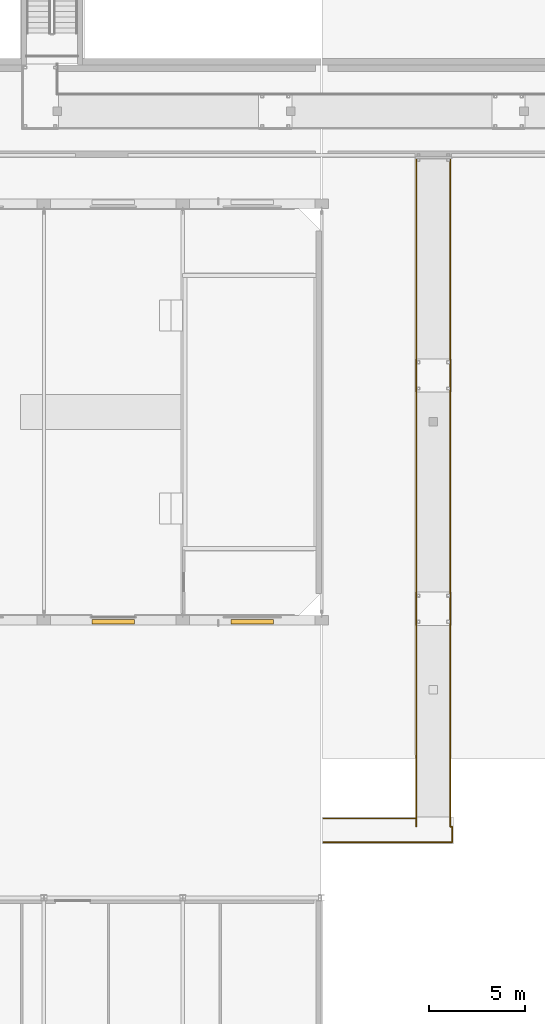
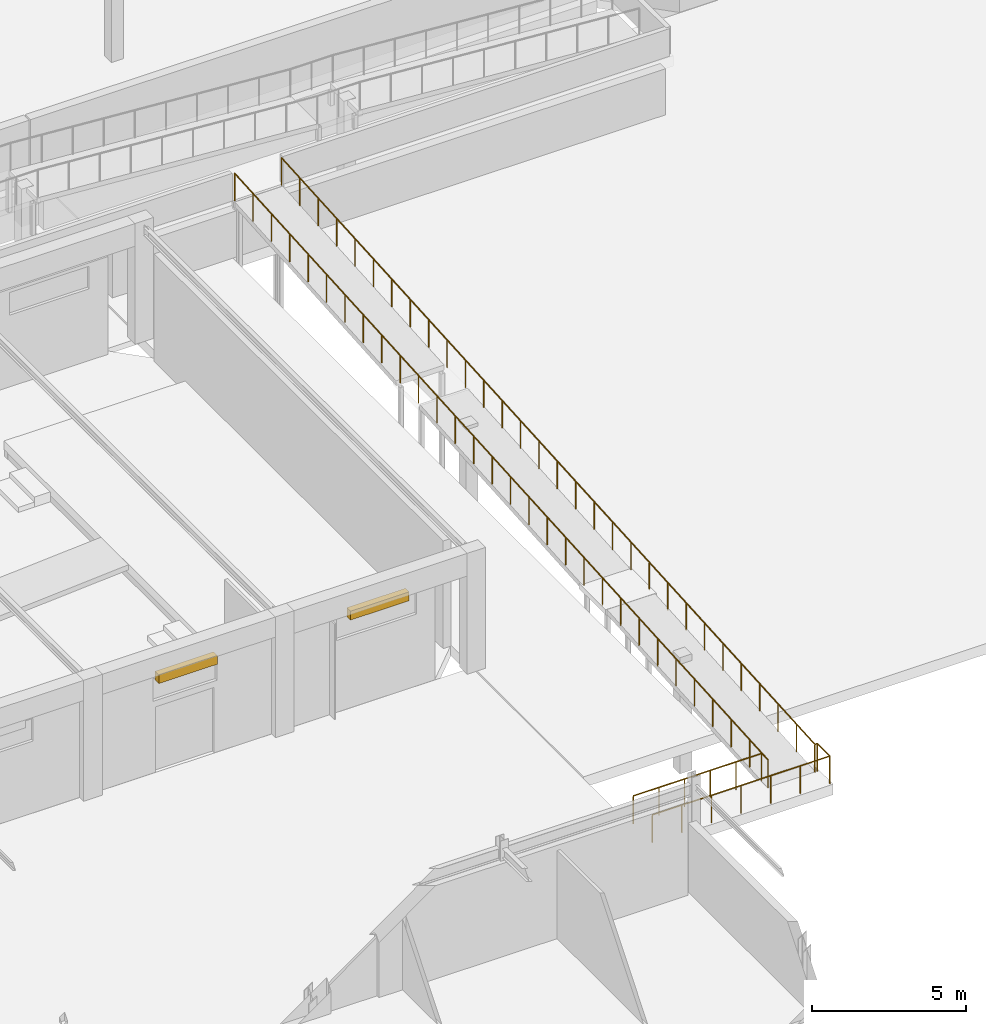
# One storey, part 76 of 85: 2 railings, 2 shading devices.
"""IFC4 building model written with IfcOpenShell, lengths in metres."""

from ifc_helpers import new_model, si_unit, direction, frame, origin, origin_2d, place, context, subcontext, project, spatial, rectangle, circle, extrude, material, type_object, element, save


model = new_model("IFC4")

# Units and contexts
model_context = context("Model", 3, precision=1e-05, world=origin(), true_north=direction((0.0, 1.0)))
body_context = subcontext(model_context, "Body", "Model", "MODEL_VIEW")
ifc_project = project(units=[si_unit("LENGTHUNIT", "METRE"), si_unit("AREAUNIT", "SQUARE_METRE"), si_unit("VOLUMEUNIT", "CUBIC_METRE"), si_unit("PLANEANGLEUNIT", "RADIAN"), si_unit("MASSUNIT", "GRAM", prefix="KILO")], contexts=[model_context])

# Site, building, storey
site_placement = place(None, origin())
site = spatial("IfcSite", under=ifc_project, at=site_placement, CompositionType="ELEMENT")
building_placement = place(site_placement, origin())
building = spatial("IfcBuilding", under=site, at=building_placement, Name="Ochrevale Crest", CompositionType="ELEMENT")
storey_placement = place(building_placement, origin())
storey = spatial("IfcBuildingStorey", under=building, at=storey_placement, Name="L00", CompositionType="ELEMENT", Elevation=0.0)

# Railings
ifc_material_1 = material(Name="Galvanised steel", Category="steel")
railing_type = type_object("IfcRailingType", Name="RL-TER-1120", PredefinedType="BALUSTRADE", material=ifc_material_1)
railing_1_placement = place(storey_placement, frame((108.10009765625, 32.919921875, 0.0)))
element("IfcRailing", 1, at=railing_1_placement, inside=storey, type_object=railing_type, Name="Accessible ramp E1 inner threshold and west guard", PredefinedType="BALUSTRADE", context=body_context, shape_type="SweptSolid", body=[
    extrude(circle(Radius=0.02392578125, at=origin_2d()), frame((0.0, 0.0, 1.09619140625), z_axis=(1.0, 0.0, 0.0), x_axis=(0.0, 1.0, 0.0)), (0.0, 0.0, 1.0), 4.81982421875),
    extrude(circle(Radius=0.02392578125, at=origin_2d()), frame((4.81982421875, 0.0, 1.09619140625), z_axis=(0.0, -1.0, 0.0), x_axis=(1.0, 0.0, 0.0)), (0.0, 0.0, 1.0), 0.419921875),
    extrude(circle(Radius=0.02392578125, at=origin_2d()), frame((4.81982421875, -0.419921875, 1.09619140625), z_axis=(0.0, 0.997904389943, 0.064705707113), x_axis=(-1.0, 0.0, 0.0)), (0.0, 0.0, 1.0), 34.772705078125),
    extrude(circle(Radius=0.02099609375, at=origin_2d()), origin(), (0.0, 0.0, 1.0), 1.072021484375),
    extrude(circle(Radius=0.02099609375, at=origin_2d()), frame((0.9638671875, 0.0, 0.0)), (0.0, 0.0, 1.0), 1.072021484375),
    extrude(circle(Radius=0.02099609375, at=origin_2d()), frame((1.927978515625, 0.0, 0.0)), (0.0, 0.0, 1.0), 1.072021484375),
    extrude(circle(Radius=0.02099609375, at=origin_2d()), frame((2.891845703125, 0.0, 0.0)), (0.0, 0.0, 1.0), 1.072021484375),
    extrude(circle(Radius=0.02099609375, at=origin_2d()), frame((3.85595703125, 0.0, 0.0)), (0.0, 0.0, 1.0), 1.072021484375),
    extrude(circle(Radius=0.02099609375, at=origin_2d()), frame((4.81982421875, 0.0, 0.0)), (0.0, 0.0, 1.0), 1.072021484375),
    extrude(circle(Radius=0.02099609375, at=origin_2d()), frame((4.81982421875, -0.419921875, 0.0)), (0.0, 0.0, 1.0), 1.072021484375),
    extrude(circle(Radius=0.02099609375, at=origin_2d()), frame((4.81982421875, 0.776611328125, 0.07763671875)), (0.0, 0.0, 1.0), 1.072021484375),
    extrude(circle(Radius=0.02099609375, at=origin_2d()), frame((4.81982421875, 1.97314453125, 0.1552734375)), (0.0, 0.0, 1.0), 1.072021484375),
    extrude(circle(Radius=0.02099609375, at=origin_2d()), frame((4.81982421875, 3.169677734375, 0.232666015625)), (0.0, 0.0, 1.0), 1.072021484375),
    extrude(circle(Radius=0.02099609375, at=origin_2d()), frame((4.81982421875, 4.3662109375, 0.310302734375)), (0.0, 0.0, 1.0), 1.072021484375),
    extrude(circle(Radius=0.02099609375, at=origin_2d()), frame((4.81982421875, 5.562744140625, 0.387939453125)), (0.0, 0.0, 1.0), 1.072021484375),
    extrude(circle(Radius=0.02099609375, at=origin_2d()), frame((4.81982421875, 6.75927734375, 0.465576171875)), (0.0, 0.0, 1.0), 1.072021484375),
    extrude(circle(Radius=0.02099609375, at=origin_2d()), frame((4.81982421875, 7.955810546875, 0.543212890625)), (0.0, 0.0, 1.0), 1.072021484375),
    extrude(circle(Radius=0.02099609375, at=origin_2d()), frame((4.81982421875, 9.152587890625, 0.62060546875)), (0.0, 0.0, 1.0), 1.072021484375),
    extrude(circle(Radius=0.02099609375, at=origin_2d()), frame((4.81982421875, 10.34912109375, 0.6982421875)), (0.0, 0.0, 1.0), 1.072021484375),
    extrude(circle(Radius=0.02099609375, at=origin_2d()), frame((4.81982421875, 11.545654296875, 0.77587890625)), (0.0, 0.0, 1.0), 1.072021484375),
    extrude(circle(Radius=0.02099609375, at=origin_2d()), frame((4.81982421875, 12.7421875, 0.853515625)), (0.0, 0.0, 1.0), 1.072021484375),
    extrude(circle(Radius=0.02099609375, at=origin_2d()), frame((4.81982421875, 13.938720703125, 0.93115234375)), (0.0, 0.0, 1.0), 1.072021484375),
    extrude(circle(Radius=0.02099609375, at=origin_2d()), frame((4.81982421875, 15.13525390625, 1.008544921875)), (0.0, 0.0, 1.0), 1.072021484375),
    extrude(circle(Radius=0.02099609375, at=origin_2d()), frame((4.81982421875, 16.331787109375, 1.086181640625)), (0.0, 0.0, 1.0), 1.072021484375),
    extrude(circle(Radius=0.02099609375, at=origin_2d()), frame((4.81982421875, 17.5283203125, 1.163818359375)), (0.0, 0.0, 1.0), 1.072021484375),
    extrude(circle(Radius=0.02099609375, at=origin_2d()), frame((4.81982421875, 18.724853515625, 1.241455078125)), (0.0, 0.0, 1.0), 1.072021484375),
    extrude(circle(Radius=0.02099609375, at=origin_2d()), frame((4.81982421875, 19.92138671875, 1.31884765625)), (0.0, 0.0, 1.0), 1.072021484375),
    extrude(circle(Radius=0.02099609375, at=origin_2d()), frame((4.81982421875, 21.117919921875, 1.396484375)), (0.0, 0.0, 1.0), 1.072021484375),
    extrude(circle(Radius=0.02099609375, at=origin_2d()), frame((4.81982421875, 22.314453125, 1.47412109375)), (0.0, 0.0, 1.0), 1.072021484375),
    extrude(circle(Radius=0.02099609375, at=origin_2d()), frame((4.81982421875, 23.510986328125, 1.5517578125)), (0.0, 0.0, 1.0), 1.072021484375),
    extrude(circle(Radius=0.02099609375, at=origin_2d()), frame((4.81982421875, 24.70751953125, 1.62939453125)), (0.0, 0.0, 1.0), 1.072021484375),
    extrude(circle(Radius=0.02099609375, at=origin_2d()), frame((4.81982421875, 25.904296875, 1.706787109375)), (0.0, 0.0, 1.0), 1.072021484375),
    extrude(circle(Radius=0.02099609375, at=origin_2d()), frame((4.81982421875, 27.100830078125, 1.784423828125)), (0.0, 0.0, 1.0), 1.072021484375),
    extrude(circle(Radius=0.02099609375, at=origin_2d()), frame((4.81982421875, 28.29736328125, 1.862060546875)), (0.0, 0.0, 1.0), 1.072021484375),
    extrude(circle(Radius=0.02099609375, at=origin_2d()), frame((4.81982421875, 29.493896484375, 1.939697265625)), (0.0, 0.0, 1.0), 1.072021484375),
    extrude(circle(Radius=0.02099609375, at=origin_2d()), frame((4.81982421875, 30.6904296875, 2.017333984375)), (0.0, 0.0, 1.0), 1.072021484375),
    extrude(circle(Radius=0.02099609375, at=origin_2d()), frame((4.81982421875, 31.886962890625, 2.0947265625)), (0.0, 0.0, 1.0), 1.072021484375),
    extrude(circle(Radius=0.02099609375, at=origin_2d()), frame((4.81982421875, 33.08349609375, 2.17236328125)), (0.0, 0.0, 1.0), 1.072021484375),
    extrude(circle(Radius=0.02099609375, at=origin_2d()), frame((4.81982421875, 34.280029296875, 2.25)), (0.0, 0.0, 1.0), 1.072021484375),
])
railing_2_placement = place(storey_placement, frame((108.10009765625, 31.679931640625, 0.0)))
element("IfcRailing", 2, at=railing_2_placement, inside=storey, type_object=railing_type, Name="Accessible ramp E1 outer threshold and east guard", PredefinedType="BALUSTRADE", context=body_context, shape_type="SweptSolid", body=[
    extrude(circle(Radius=0.02392578125, at=origin_2d()), frame((0.0, 0.0, 1.09619140625), z_axis=(1.0, 0.0, 0.0), x_axis=(0.0, 1.0, 0.0)), (0.0, 0.0, 1.0), 6.669921875),
    extrude(circle(Radius=0.02392578125, at=origin_2d()), frame((6.669921875, 0.0, 1.09619140625), z_axis=(0.0, 1.0, 0.0), x_axis=(-1.0, 0.0, 0.0)), (0.0, 0.0, 1.0), 0.820068359375),
    extrude(circle(Radius=0.02392578125, at=origin_2d()), frame((6.669921875, 0.820068359375, 1.09619140625), z_axis=(-1.0, 0.0, 0.0), x_axis=(0.0, -1.0, 0.0)), (0.0, 0.0, 1.0), 0.090087890625),
    extrude(circle(Radius=0.02392578125, at=origin_2d()), frame((6.579833984375, 0.820068359375, 1.09619140625), z_axis=(0.0, 0.997904389943, 0.064705707113), x_axis=(-1.0, 0.0, 0.0)), (0.0, 0.0, 1.0), 34.772705078125),
    extrude(circle(Radius=0.02099609375, at=origin_2d()), origin(), (0.0, 0.0, 1.0), 1.072021484375),
    extrude(circle(Radius=0.02099609375, at=origin_2d()), frame((1.111572265625, 0.0, 0.0)), (0.0, 0.0, 1.0), 1.072021484375),
    extrude(circle(Radius=0.02099609375, at=origin_2d()), frame((2.223388671875, 0.0, 0.0)), (0.0, 0.0, 1.0), 1.072021484375),
    extrude(circle(Radius=0.02099609375, at=origin_2d()), frame((3.3349609375, 0.0, 0.0)), (0.0, 0.0, 1.0), 1.072021484375),
    extrude(circle(Radius=0.02099609375, at=origin_2d()), frame((4.446533203125, 0.0, 0.0)), (0.0, 0.0, 1.0), 1.072021484375),
    extrude(circle(Radius=0.02099609375, at=origin_2d()), frame((5.558349609375, 0.0, 0.0)), (0.0, 0.0, 1.0), 1.072021484375),
    extrude(circle(Radius=0.02099609375, at=origin_2d()), frame((6.669921875, 0.0, 0.0)), (0.0, 0.0, 1.0), 1.072021484375),
    extrude(circle(Radius=0.02099609375, at=origin_2d()), frame((6.669921875, 0.820068359375, 0.0)), (0.0, 0.0, 1.0), 1.072021484375),
    extrude(circle(Radius=0.02099609375, at=origin_2d()), frame((6.579833984375, 0.820068359375, 0.0)), (0.0, 0.0, 1.0), 1.072021484375),
    extrude(circle(Radius=0.02099609375, at=origin_2d()), frame((6.579833984375, 2.0166015625, 0.07763671875)), (0.0, 0.0, 1.0), 1.072021484375),
    extrude(circle(Radius=0.02099609375, at=origin_2d()), frame((6.579833984375, 3.213134765625, 0.1552734375)), (0.0, 0.0, 1.0), 1.072021484375),
    extrude(circle(Radius=0.02099609375, at=origin_2d()), frame((6.579833984375, 4.40966796875, 0.232666015625)), (0.0, 0.0, 1.0), 1.072021484375),
    extrude(circle(Radius=0.02099609375, at=origin_2d()), frame((6.579833984375, 5.606201171875, 0.310302734375)), (0.0, 0.0, 1.0), 1.072021484375),
    extrude(circle(Radius=0.02099609375, at=origin_2d()), frame((6.579833984375, 6.802734375, 0.387939453125)), (0.0, 0.0, 1.0), 1.072021484375),
    extrude(circle(Radius=0.02099609375, at=origin_2d()), frame((6.579833984375, 7.999267578125, 0.465576171875)), (0.0, 0.0, 1.0), 1.072021484375),
    extrude(circle(Radius=0.02099609375, at=origin_2d()), frame((6.579833984375, 9.19580078125, 0.543212890625)), (0.0, 0.0, 1.0), 1.072021484375),
    extrude(circle(Radius=0.02099609375, at=origin_2d()), frame((6.579833984375, 10.392578125, 0.62060546875)), (0.0, 0.0, 1.0), 1.072021484375),
    extrude(circle(Radius=0.02099609375, at=origin_2d()), frame((6.579833984375, 11.589111328125, 0.6982421875)), (0.0, 0.0, 1.0), 1.072021484375),
    extrude(circle(Radius=0.02099609375, at=origin_2d()), frame((6.579833984375, 12.78564453125, 0.77587890625)), (0.0, 0.0, 1.0), 1.072021484375),
    extrude(circle(Radius=0.02099609375, at=origin_2d()), frame((6.579833984375, 13.982177734375, 0.853515625)), (0.0, 0.0, 1.0), 1.072021484375),
    extrude(circle(Radius=0.02099609375, at=origin_2d()), frame((6.579833984375, 15.1787109375, 0.93115234375)), (0.0, 0.0, 1.0), 1.072021484375),
    extrude(circle(Radius=0.02099609375, at=origin_2d()), frame((6.579833984375, 16.375244140625, 1.008544921875)), (0.0, 0.0, 1.0), 1.072021484375),
    extrude(circle(Radius=0.02099609375, at=origin_2d()), frame((6.579833984375, 17.57177734375, 1.086181640625)), (0.0, 0.0, 1.0), 1.072021484375),
    extrude(circle(Radius=0.02099609375, at=origin_2d()), frame((6.579833984375, 18.768310546875, 1.163818359375)), (0.0, 0.0, 1.0), 1.072021484375),
    extrude(circle(Radius=0.02099609375, at=origin_2d()), frame((6.579833984375, 19.96484375, 1.241455078125)), (0.0, 0.0, 1.0), 1.072021484375),
    extrude(circle(Radius=0.02099609375, at=origin_2d()), frame((6.579833984375, 21.161376953125, 1.31884765625)), (0.0, 0.0, 1.0), 1.072021484375),
    extrude(circle(Radius=0.02099609375, at=origin_2d()), frame((6.579833984375, 22.35791015625, 1.396484375)), (0.0, 0.0, 1.0), 1.072021484375),
    extrude(circle(Radius=0.02099609375, at=origin_2d()), frame((6.579833984375, 23.554443359375, 1.47412109375)), (0.0, 0.0, 1.0), 1.072021484375),
    extrude(circle(Radius=0.02099609375, at=origin_2d()), frame((6.579833984375, 24.7509765625, 1.5517578125)), (0.0, 0.0, 1.0), 1.072021484375),
    extrude(circle(Radius=0.02099609375, at=origin_2d()), frame((6.579833984375, 25.947509765625, 1.62939453125)), (0.0, 0.0, 1.0), 1.072021484375),
    extrude(circle(Radius=0.02099609375, at=origin_2d()), frame((6.579833984375, 27.144287109375, 1.706787109375)), (0.0, 0.0, 1.0), 1.072021484375),
    extrude(circle(Radius=0.02099609375, at=origin_2d()), frame((6.579833984375, 28.3408203125, 1.784423828125)), (0.0, 0.0, 1.0), 1.072021484375),
    extrude(circle(Radius=0.02099609375, at=origin_2d()), frame((6.579833984375, 29.537353515625, 1.862060546875)), (0.0, 0.0, 1.0), 1.072021484375),
    extrude(circle(Radius=0.02099609375, at=origin_2d()), frame((6.579833984375, 30.73388671875, 1.939697265625)), (0.0, 0.0, 1.0), 1.072021484375),
    extrude(circle(Radius=0.02099609375, at=origin_2d()), frame((6.579833984375, 31.930419921875, 2.017333984375)), (0.0, 0.0, 1.0), 1.072021484375),
    extrude(circle(Radius=0.02099609375, at=origin_2d()), frame((6.579833984375, 33.126953125, 2.0947265625)), (0.0, 0.0, 1.0), 1.072021484375),
    extrude(circle(Radius=0.02099609375, at=origin_2d()), frame((6.579833984375, 34.323486328125, 2.17236328125)), (0.0, 0.0, 1.0), 1.072021484375),
    extrude(circle(Radius=0.02099609375, at=origin_2d()), frame((6.579833984375, 35.52001953125, 2.25)), (0.0, 0.0, 1.0), 1.072021484375),
])

# Shading devices
ifc_material_2 = material(Name="Anodised aluminium 6063-T5", Category="aluminium")
shading_device_type = type_object("IfcShadingDeviceType", Name="SHD-LOUVRE-AL", PredefinedType="JALOUSIE", material=ifc_material_2)
for number, where, z_axis, x_axis, name in (
    (3, (97.199951171875, 43.1201171875, 3.64501953125), (0.0, 0.0, 1.0), (1.0, 0.0, 0.0), "Community Hall S bronze sun-control louvre 6"),
    (4, (104.39990234375, 43.1201171875, 3.64501953125), (0.0, 0.0, 1.0), (1.0, 0.0, 0.0), "Community Hall S bronze sun-control louvre 7"),
):
    element("IfcShadingDevice", number, at=place(storey_placement, frame(where, z_axis=z_axis, x_axis=x_axis)), inside=storey, type_object=shading_device_type, Name=name, PredefinedType="JALOUSIE", context=body_context, shape_type="SweptSolid", body=[
        extrude(rectangle(XDim=2.199951171875, YDim=0.239990234375, at=origin_2d()), origin(), (0.0, 0.0, 1.0), 0.35009765625),
    ])

save(model, "model.ifc")
